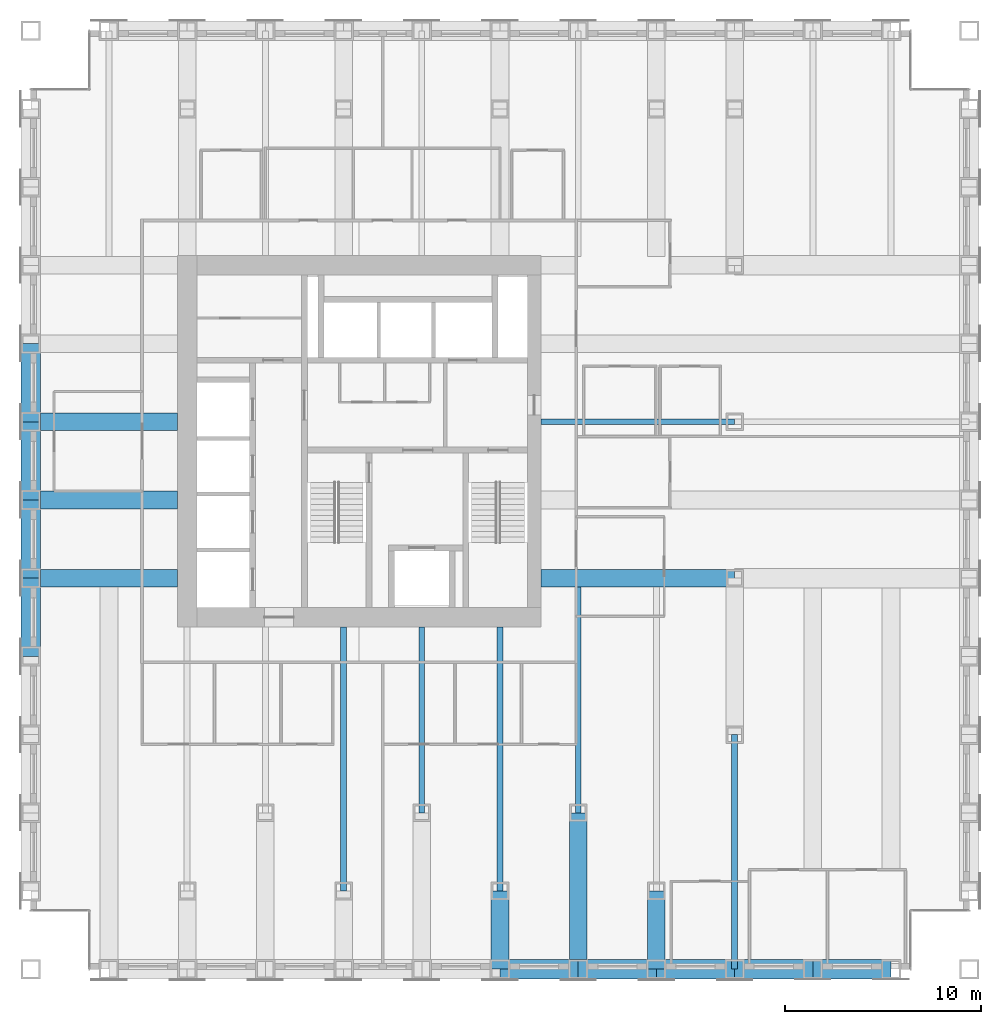
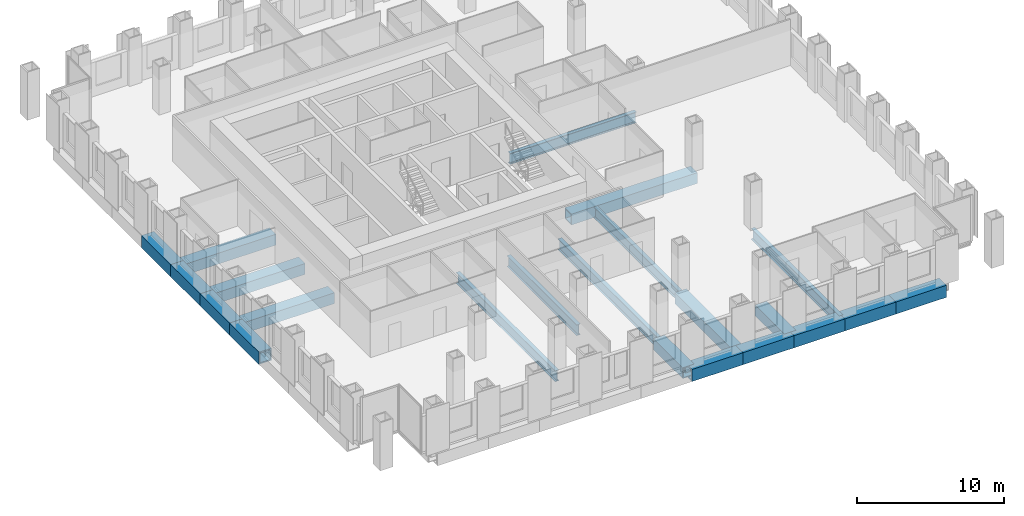
# One storey, part 3 of 16: 22 beams.
"""IFC4 building model written with IfcOpenShell, lengths in metres."""

from ifc_helpers import new_model, si_unit, direction, frame, origin, origin_2d, place, context, subcontext, project, spatial, hollow_rectangle, i_section, extrude, material, material_profile, profile_set, type_object, element, save


model = new_model("IFC4")

# Units and contexts
model_context = context("Model", 3, precision=1e-05, world=origin(), true_north=direction((0.0, 1.0)))
body_context = subcontext(model_context, "Body", "Model", "MODEL_VIEW")
ifc_project = project(units=[si_unit("LENGTHUNIT", "METRE"), si_unit("AREAUNIT", "SQUARE_METRE"), si_unit("VOLUMEUNIT", "CUBIC_METRE"), si_unit("PLANEANGLEUNIT", "RADIAN"), si_unit("MASSUNIT", "GRAM", prefix="KILO")], contexts=[model_context])

# Site, building, storey
site_placement = place(None, origin())
site = spatial("IfcSite", under=ifc_project, at=site_placement, CompositionType="ELEMENT")
building_placement = place(site_placement, origin())
building = spatial("IfcBuilding", under=site, at=building_placement, Name="Rimbunsela Tower", CompositionType="ELEMENT")
storey_placement = place(building_placement, frame((0.0, 0.0, 93.39990234375)))
storey = spatial("IfcBuildingStorey", under=building, at=storey_placement, Name="L22", CompositionType="ELEMENT", Elevation=93.39990234375)

# Beams
ifc_material_1 = material(Name="Steel BJ 55 (fy 410 MPa)", Category="steel")
ifc_material_profile_1 = material_profile(ifc_material_1, hollow_rectangle(XDim=1.0, YDim=1.0, WallThickness=0.10009765625, at=origin_2d()), Name="BOX 1000x1000x100")
ifc_profile_set_1 = profile_set([ifc_material_profile_1], Name="Steel BJ 55 (fy 410 MPa)")
beam_type_1 = type_object("IfcBeamType", Name="Beam BOX 1000x1000x100", PredefinedType="BEAM", material=ifc_profile_set_1)
for number, where, z_axis, x_axis, name in (
    (1, (10.0, 16.0, -0.64990234375), (0.0, 1.0, 0.0), (-1.0, 0.0, 0.0), "Beam B3 L22"),
    (2, (10.0, 20.0, -0.64990234375), (0.0, 1.0, 0.0), (-1.0, 0.0, 0.0), "Beam B3 L22"),
    (3, (10.0, 24.0, -0.64990234375), (0.0, 1.0, 0.0), (-1.0, 0.0, 0.0), "Beam B3 L22"),
    (4, (10.0, 28.0, -0.64990234375), (0.0, 1.0, 0.0), (-1.0, 0.0, 0.0), "Beam B3 L22"),
    (5, (34.0, 0.0, -0.64990234375), (1.0, 0.0, 0.0), (0.0, 1.0, 0.0), "Beam B3 L22"),
    (6, (38.0, 0.0, -0.64990234375), (1.0, 0.0, 0.0), (0.0, 1.0, 0.0), "Beam B3 L22"),
    (7, (42.0, 0.0, -0.64990234375), (1.0, 0.0, 0.0), (0.0, 1.0, 0.0), "Beam B3 L22"),
    (8, (46.0, 0.0, -0.64990234375), (1.0, 0.0, 0.0), (0.0, 1.0, 0.0), "Beam B3 L22"),
    (9, (50.0, 0.0, -0.64990234375), (1.0, 0.0, 0.0), (0.0, 1.0, 0.0), "Beam B3 L22"),
):
    element("IfcBeam", number, at=place(storey_placement, frame(where, z_axis=z_axis, x_axis=x_axis)), inside=storey, type_object=beam_type_1, Name=name, PredefinedType="BEAM", context=body_context, shape_type="SweptSolid", body=[
        extrude(hollow_rectangle(XDim=1.0, YDim=1.0, WallThickness=0.10009765625, at=origin_2d()), origin(), (0.0, 0.0, 1.0), 4.0),
    ])
ifc_material_2 = material(Name="Steel BJ 55 (fy 410 MPa)", Category="steel")
ifc_material_profile_2 = material_profile(ifc_material_2, hollow_rectangle(XDim=0.89990234375, YDim=0.89990234375, WallThickness=0.06005859375, at=origin_2d()), Name="BOX 900x900x60")
ifc_profile_set_2 = profile_set([ifc_material_profile_2], Name="Steel BJ 55 (fy 410 MPa)")
beam_type_2 = type_object("IfcBeamType", Name="Beam BOX 900x900x60", PredefinedType="BEAM", material=ifc_profile_set_2)
for number, where, z_axis, x_axis, name in (
    (10, (10.0, 20.0, -0.599853515625), (1.0, 0.0, 0.0), (0.0, 1.0, 0.0), "Beam B1 L22"),
    (11, (10.0, 24.0, -0.599853515625), (1.0, 0.0, 0.0), (0.0, 1.0, 0.0), "Beam B1 L22"),
    (12, (10.0, 28.0, -0.599853515625), (1.0, 0.0, 0.0), (0.0, 1.0, 0.0), "Beam B1 L22"),
):
    element("IfcBeam", number, at=place(storey_placement, frame(where, z_axis=z_axis, x_axis=x_axis)), inside=storey, type_object=beam_type_2, Name=name, PredefinedType="BEAM", context=body_context, shape_type="SweptSolid", body=[
        extrude(hollow_rectangle(XDim=0.89990234375, YDim=0.89990234375, WallThickness=0.06005859375, at=origin_2d()), origin(), (0.0, 0.0, 1.0), 7.5),
    ])
beam_1_placement = place(storey_placement, frame((34.0, 0.0, -0.599853515625), z_axis=(0.0, 1.0, 0.0), x_axis=(-1.0, 0.0, 0.0)))
element("IfcBeam", 13, at=beam_1_placement, inside=storey, type_object=beam_type_2, Name="Beam B1 L22", PredefinedType="BEAM", context=body_context, shape_type="SweptSolid", body=[
    extrude(hollow_rectangle(XDim=0.89990234375, YDim=0.89990234375, WallThickness=0.06005859375, at=origin_2d()), origin(), (0.0, 0.0, 1.0), 4.0),
])
beam_2_placement = place(storey_placement, frame((36.10009765625, 20.0, -0.599853515625), z_axis=(1.0, 0.0, 0.0), x_axis=(0.0, 1.0, 0.0)))
element("IfcBeam", 14, at=beam_2_placement, inside=storey, type_object=beam_type_2, Name="Beam B1 L22", PredefinedType="BEAM", context=body_context, shape_type="SweptSolid", body=[
    extrude(hollow_rectangle(XDim=0.89990234375, YDim=0.89990234375, WallThickness=0.06005859375, at=origin_2d()), origin(), (0.0, 0.0, 1.0), 9.89990234375),
])
beam_3_placement = place(storey_placement, frame((38.0, 0.0, -0.599853515625), z_axis=(0.0, 1.0, 0.0), x_axis=(-1.0, 0.0, 0.0)))
element("IfcBeam", 15, at=beam_3_placement, inside=storey, type_object=beam_type_2, Name="Beam B1 L22", PredefinedType="BEAM", context=body_context, shape_type="SweptSolid", body=[
    extrude(hollow_rectangle(XDim=0.89990234375, YDim=0.89990234375, WallThickness=0.06005859375, at=origin_2d()), origin(), (0.0, 0.0, 1.0), 8.0),
])
beam_4_placement = place(storey_placement, frame((42.0, 0.0, -0.599853515625), z_axis=(0.0, 1.0, 0.0), x_axis=(-1.0, 0.0, 0.0)))
element("IfcBeam", 16, at=beam_4_placement, inside=storey, type_object=beam_type_2, Name="Beam B1 L22", PredefinedType="BEAM", context=body_context, shape_type="SweptSolid", body=[
    extrude(hollow_rectangle(XDim=0.89990234375, YDim=0.89990234375, WallThickness=0.06005859375, at=origin_2d()), origin(), (0.0, 0.0, 1.0), 4.0),
])
ifc_material_3 = material(Name="Steel BJ 55 (fy 410 MPa)", Category="steel")
ifc_material_profile_3 = material_profile(ifc_material_3, i_section(OverallWidth=0.300048828125, OverallDepth=0.89990234375, WebThickness=0.01611328125, FlangeThickness=0.028076171875, FilletRadius=0.028076171875, at=origin_2d()), Name="H 900x300x16x28")
ifc_profile_set_3 = profile_set([ifc_material_profile_3], Name="Steel BJ 55 (fy 410 MPa)")
beam_type_3 = type_object("IfcBeamType", Name="Beam H 900x300x16x28", PredefinedType="BEAM", material=ifc_profile_set_3)
beam_5_placement = place(storey_placement, frame((26.0, 4.0, -0.599853515625), z_axis=(0.0, 1.0, 0.0), x_axis=(-1.0, 0.0, 0.0)))
element("IfcBeam", 17, at=beam_5_placement, inside=storey, type_object=beam_type_3, Name="Beam B2 L22", PredefinedType="BEAM", context=body_context, shape_type="SweptSolid", body=[
    extrude(i_section(OverallWidth=0.300048828125, OverallDepth=0.89990234375, WebThickness=0.01611328125, FlangeThickness=0.028076171875, FilletRadius=0.028076171875, at=origin_2d()), origin(), (0.0, 0.0, 1.0), 13.5),
])
beam_6_placement = place(storey_placement, frame((30.0, 8.0, -0.599853515625), z_axis=(0.0, 1.0, 0.0), x_axis=(-1.0, 0.0, 0.0)))
element("IfcBeam", 18, at=beam_6_placement, inside=storey, type_object=beam_type_3, Name="Beam B2 L22", PredefinedType="BEAM", context=body_context, shape_type="SweptSolid", body=[
    extrude(i_section(OverallWidth=0.300048828125, OverallDepth=0.89990234375, WebThickness=0.01611328125, FlangeThickness=0.028076171875, FilletRadius=0.028076171875, at=origin_2d()), origin(), (0.0, 0.0, 1.0), 9.5),
])
beam_7_placement = place(storey_placement, frame((34.0, 4.0, -0.599853515625), z_axis=(0.0, 1.0, 0.0), x_axis=(-1.0, 0.0, 0.0)))
element("IfcBeam", 19, at=beam_7_placement, inside=storey, type_object=beam_type_3, Name="Beam B2 L22", PredefinedType="BEAM", context=body_context, shape_type="SweptSolid", body=[
    extrude(i_section(OverallWidth=0.300048828125, OverallDepth=0.89990234375, WebThickness=0.01611328125, FlangeThickness=0.028076171875, FilletRadius=0.028076171875, at=origin_2d()), origin(), (0.0, 0.0, 1.0), 13.5),
])
beam_8_placement = place(storey_placement, frame((36.10009765625, 28.0, -0.599853515625), z_axis=(1.0, 0.0, 0.0), x_axis=(0.0, 1.0, 0.0)))
element("IfcBeam", 20, at=beam_8_placement, inside=storey, type_object=beam_type_3, Name="Beam B2 L22", PredefinedType="BEAM", context=body_context, shape_type="SweptSolid", body=[
    extrude(i_section(OverallWidth=0.300048828125, OverallDepth=0.89990234375, WebThickness=0.01611328125, FlangeThickness=0.028076171875, FilletRadius=0.028076171875, at=origin_2d()), origin(), (0.0, 0.0, 1.0), 9.89990234375),
])
beam_9_placement = place(storey_placement, frame((38.0, 8.0, -0.599853515625), z_axis=(0.0, 1.0, 0.0), x_axis=(-1.0, 0.0, 0.0)))
element("IfcBeam", 21, at=beam_9_placement, inside=storey, type_object=beam_type_3, Name="Beam B2 L22", PredefinedType="BEAM", context=body_context, shape_type="SweptSolid", body=[
    extrude(i_section(OverallWidth=0.300048828125, OverallDepth=0.89990234375, WebThickness=0.01611328125, FlangeThickness=0.028076171875, FilletRadius=0.028076171875, at=origin_2d()), origin(), (0.0, 0.0, 1.0), 11.550048828125),
])
beam_10_placement = place(storey_placement, frame((46.0, 0.0, -0.599853515625), z_axis=(0.0, 1.0, 0.0), x_axis=(-1.0, 0.0, 0.0)))
element("IfcBeam", 22, at=beam_10_placement, inside=storey, type_object=beam_type_3, Name="Beam B2 L22", PredefinedType="BEAM", context=body_context, shape_type="SweptSolid", body=[
    extrude(i_section(OverallWidth=0.300048828125, OverallDepth=0.89990234375, WebThickness=0.01611328125, FlangeThickness=0.028076171875, FilletRadius=0.028076171875, at=origin_2d()), origin(), (0.0, 0.0, 1.0), 12.0),
])

save(model, "model.ifc")
